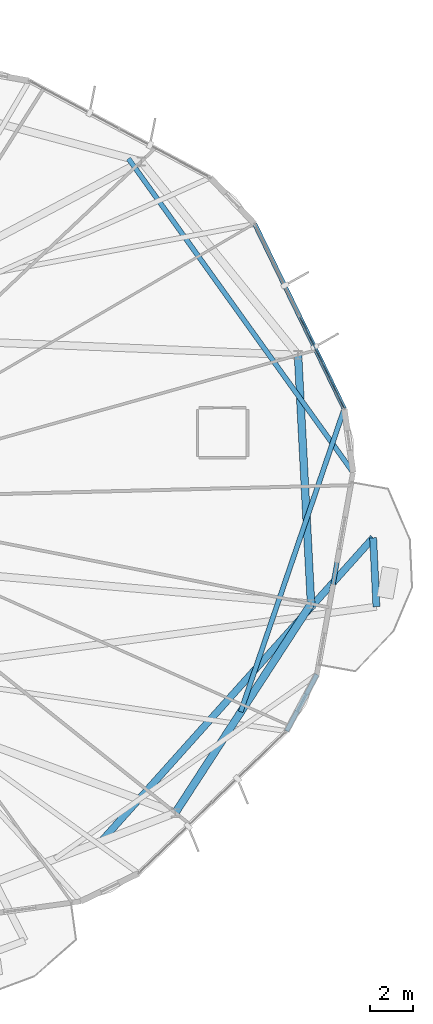
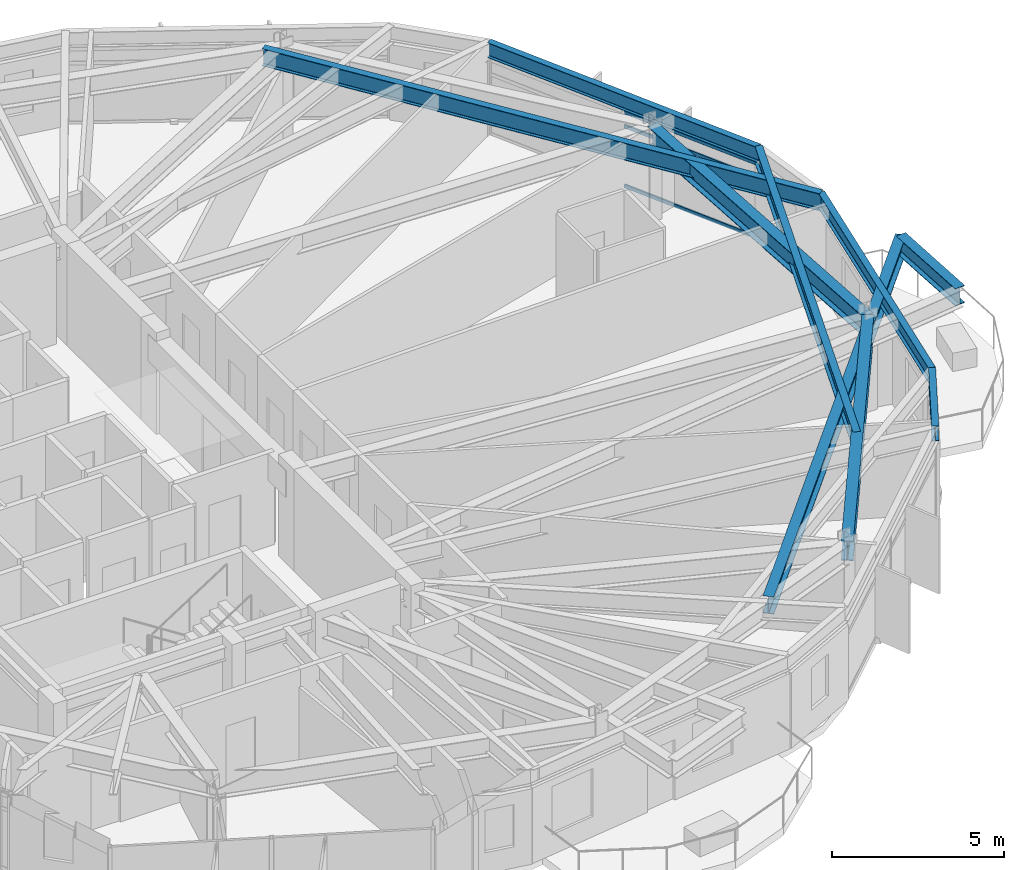
# One storey, part 11 of 26: 9 beams, 3 members, 1 element without a shape of its own.
"""IFC4 building model written with IfcOpenShell, lengths in metres."""

from ifc_helpers import new_model, si_unit, direction, frame, origin, origin_2d, place, context, subcontext, project, spatial, hollow_rectangle, i_section, extrude, material, layer, layer_set, material_profile, profile_set, type_object, element, aggregate, save


model = new_model("IFC4")

# Units and contexts
model_context = context("Model", 3, precision=1e-05, world=origin(), true_north=direction((0.0, 1.0)))
body_context = subcontext(model_context, "Body", "Model", "MODEL_VIEW")
ifc_project = project(units=[si_unit("LENGTHUNIT", "METRE"), si_unit("AREAUNIT", "SQUARE_METRE"), si_unit("VOLUMEUNIT", "CUBIC_METRE"), si_unit("PLANEANGLEUNIT", "RADIAN"), si_unit("MASSUNIT", "GRAM", prefix="KILO")], contexts=[model_context])

# Site, building, storey
site_placement = place(None, origin())
site = spatial("IfcSite", under=ifc_project, at=site_placement, CompositionType="ELEMENT")
building_placement = place(site_placement, origin())
building = spatial("IfcBuilding", under=site, at=building_placement, Name="Soratama Intermodal Tower", CompositionType="ELEMENT")
storey_placement = place(building_placement, frame((0.0, 0.0, 194.199951171875)))
storey = spatial("IfcBuildingStorey", under=building, at=storey_placement, Name="L48", CompositionType="ELEMENT", Elevation=194.199951171875)

# Beams
ifc_material_1 = material(Name="Structural steel ASTM A992 Grade 50", Category="steel")
ifc_material_profile_1 = material_profile(ifc_material_1, i_section(OverallWidth=0.324951171875, OverallDepth=0.615966796875, WebThickness=0.013916015625, FlangeThickness=0.021484375, FilletRadius=0.013916015625, at=origin_2d()), Name="W24X117")
ifc_profile_set_1 = profile_set([ifc_material_profile_1], Name="Structural steel ASTM A992 Grade 50")
beam_type_1 = type_object("IfcBeamType", Name="BM-CANT-W24X117", PredefinedType="BEAM", material=ifc_profile_set_1)
beam_1_placement = place(storey_placement, frame((65.98291015625, 20.053955078125, 2.991943359375), z_axis=(-0.047714580193, 0.99886101077, 0.0), x_axis=(-0.99886101077, -0.047714580193, 0.0)))
element("IfcBeam", 1, at=beam_1_placement, inside=storey, type_object=beam_type_1, Name="BM-L48-CBHDR-1", PredefinedType="BEAM", context=body_context, shape_type="SweptSolid", body=[
    extrude(i_section(OverallWidth=0.324951171875, OverallDepth=0.615966796875, WebThickness=0.013916015625, FlangeThickness=0.021484375, FilletRadius=0.013916015625, at=origin_2d()), origin(), (0.0, 0.0, 1.0), 3.1826171875),
])
beam_2_placement = place(storey_placement, frame((53.321044921875, 9.264892578125, 2.991943359375), z_axis=(0.667159380584, 0.744915002466, 0.0), x_axis=(-0.744915002466, 0.667159380584, 0.0)))
element("IfcBeam", 2, at=beam_2_placement, inside=storey, type_object=beam_type_1, Name="BM-L48-CANT-1-2", PredefinedType="BEAM", context=body_context, shape_type="SweptSolid", body=[
    extrude(i_section(OverallWidth=0.324951171875, OverallDepth=0.615966796875, WebThickness=0.013916015625, FlangeThickness=0.021484375, FilletRadius=0.013916015625, at=origin_2d()), origin(), (0.0, 0.0, 1.0), 18.751220703125),
])
ifc_material_2 = material(Name="Structural steel ASTM A992 Grade 50", Category="steel")
ifc_material_profile_2 = material_profile(ifc_material_2, i_section(OverallWidth=0.35498046875, OverallDepth=0.695068359375, WebThickness=0.015380859375, FlangeThickness=0.02490234375, FilletRadius=0.01611328125, at=origin_2d()), Name="W27X146")
ifc_profile_set_2 = profile_set([ifc_material_profile_2], Name="Structural steel ASTM A992 Grade 50")
beam_type_2 = type_object("IfcBeamType", Name="BM-RING-W27X146", PredefinedType="BEAM", material=ifc_profile_set_2)
for number, where, z_axis, x_axis, name in (
    (3, (56.705078125, 10.544921875, 2.95263671875), (0.544637453764, 0.83867159482, 0.0), (-0.83867159482, 0.544637453764, 0.0), "BM-L48-RING-09"),
    (4, (62.966064453125, 20.18603515625, 2.95263671875), (-0.052286849724, 0.998632107108, 0.0), (-0.998632107108, -0.052286849724, 0.0), "BM-L48-RING-10"),
):
    element("IfcBeam", number, at=place(storey_placement, frame(where, z_axis=z_axis, x_axis=x_axis)), inside=storey, type_object=beam_type_2, Name=name, PredefinedType="BEAM", context=body_context, shape_type="SweptSolid", body=[
        extrude(i_section(OverallWidth=0.35498046875, OverallDepth=0.695068359375, WebThickness=0.015380859375, FlangeThickness=0.02490234375, FilletRadius=0.01611328125, at=origin_2d()), origin(), (0.0, 0.0, 1.0), 11.49560546875),
    ])
ifc_material_3 = material(Name="Structural steel ASTM A992 Grade 50", Category="steel")
ifc_material_profile_3 = material_profile(ifc_material_3, i_section(OverallWidth=0.2099609375, OverallDepth=0.537109375, WebThickness=0.010986328125, FlangeThickness=0.017333984375, FilletRadius=0.012939453125, at=origin_2d()), Name="W21X68")
ifc_profile_set_3 = profile_set([ifc_material_profile_3], Name="Structural steel ASTM A992 Grade 50")
beam_type_3 = type_object("IfcBeamType", Name="BM-SPN-W21X68", PredefinedType="SPANDREL", material=ifc_profile_set_3)
beam_3_placement = place(storey_placement, frame((61.839111328125, 14.31201171875, 3.031494140625), z_axis=(0.471707327185, 0.881755180013, 0.0), x_axis=(-0.881755180013, 0.471707327185, 0.0)))
element("IfcBeam", 5, at=beam_3_placement, inside=storey, type_object=beam_type_3, Name="BS-L48-CRN08", PredefinedType="SPANDREL", context=body_context, shape_type="SweptSolid", body=[
    extrude(i_section(OverallWidth=0.2099609375, OverallDepth=0.537109375, WebThickness=0.010986328125, FlangeThickness=0.017333984375, FilletRadius=0.012939453125, at=origin_2d()), origin(), (0.0, 0.0, 1.0), 2.965576171875),
])
beam_4_placement = place(storey_placement, frame((63.238037109375, 16.927001953125, 3.031494140625), z_axis=(0.176094832495, 0.984373206649, 0.0), x_axis=(-0.984373206649, 0.176094832495, 0.0)))
element("IfcBeam", 6, at=beam_4_placement, inside=storey, type_object=beam_type_3, Name="BS-L48-F09", PredefinedType="SPANDREL", context=body_context, shape_type="SweptSolid", body=[
    extrude(i_section(OverallWidth=0.2099609375, OverallDepth=0.537109375, WebThickness=0.010986328125, FlangeThickness=0.017333984375, FilletRadius=0.012939453125, at=origin_2d()), origin(), (0.0, 0.0, 1.0), 9.471923828125),
])
beam_5_placement = place(storey_placement, frame((64.5, 29.18896484375, 3.031494140625), z_axis=(-0.436167886037, 0.899865309471, 0.0), x_axis=(-0.899865309471, -0.436167886037, 0.0)))
element("IfcBeam", 7, at=beam_5_placement, inside=storey, type_object=beam_type_3, Name="BS-L48-F10", PredefinedType="SPANDREL", context=body_context, shape_type="SweptSolid", body=[
    extrude(i_section(OverallWidth=0.2099609375, OverallDepth=0.537109375, WebThickness=0.010986328125, FlangeThickness=0.017333984375, FilletRadius=0.012939453125, at=origin_2d()), origin(), (0.0, 0.0, 1.0), 9.471435546875),
])
ifc_material_4 = material(Name="Structural steel ASTM A992 Grade 50", Category="steel")
ifc_material_profile_4 = material_profile(ifc_material_4, i_section(OverallWidth=0.22900390625, OverallDepth=0.612060546875, WebThickness=0.011962890625, FlangeThickness=0.01953125, FilletRadius=0.012939453125, at=origin_2d()), Name="W24X84")
ifc_profile_set_4 = profile_set([ifc_material_profile_4], Name="Structural steel ASTM A992 Grade 50")
beam_type_4 = type_object("IfcBeamType", Name="BM-TIE-W24X84", PredefinedType="BEAM", material=ifc_profile_set_4)
beam_6_placement = place(storey_placement, frame((54.541015625, 40.73095703125, 2.994140625), z_axis=(0.582061427189, -0.813144817962, 0.0), x_axis=(0.813144817962, 0.582061427189, 0.0)))
element("IfcBeam", 8, at=beam_6_placement, inside=storey, type_object=beam_type_4, Name="BM-L48-TIE1-09", PredefinedType="BEAM", context=body_context, shape_type="SweptSolid", body=[
    extrude(i_section(OverallWidth=0.22900390625, OverallDepth=0.612060546875, WebThickness=0.011962890625, FlangeThickness=0.01953125, FilletRadius=0.012939453125, at=origin_2d()), origin(), (0.0, 0.0, 1.0), 17.807373046875),
])
beam_7_placement = place(storey_placement, frame((59.718017578125, 15.201904296875, 2.994140625), z_axis=(0.323502073356, 0.946227461308, 0.0), x_axis=(-0.946227461308, 0.323502073356, 0.0)))
element("IfcBeam", 9, at=beam_7_placement, inside=storey, type_object=beam_type_4, Name="BM-L48-TIE0-10", PredefinedType="BEAM", context=body_context, shape_type="SweptSolid", body=[
    extrude(i_section(OverallWidth=0.22900390625, OverallDepth=0.612060546875, WebThickness=0.011962890625, FlangeThickness=0.01953125, FilletRadius=0.012939453125, at=origin_2d()), origin(), (0.0, 0.0, 1.0), 14.781982421875),
])

# Curtain wall, members
ifc_material_5 = material(Name="Double-glazed aluminium curtain wall", Category="aluminium")
ifc_layer = layer(ifc_material_5, 0.159912109375)
ifc_layer_set = layer_set([ifc_layer], Name="Double-glazed aluminium curtain wall")
curtain_wall_type = type_object("IfcCurtainWallType", Name="CW-SYS-5", PredefinedType="NOTDEFINED", material=ifc_layer_set)
curtain_wall_placement = place(storey_placement, origin())
curtain_wall = element("IfcCurtainWall", 10, at=curtain_wall_placement, inside=storey, type_object=curtain_wall_type, Name="L48 Faceted Curtain Wall F10", PredefinedType="NOTDEFINED")
ifc_material_6 = material(Name="Anodised aluminium AA 6063-T6", Category="aluminium")
ifc_material_profile_5 = material_profile(ifc_material_6, hollow_rectangle(XDim=0.06005859375, YDim=0.1298828125, WallThickness=0.0048828125, InnerFilletRadius=0.0048828125, OuterFilletRadius=0.010009765625, at=origin_2d()), Name="CWT130X60X5")
ifc_profile_set_5 = profile_set([ifc_material_profile_5], Name="Anodised aluminium AA 6063-T6")
member_type = type_object("IfcMemberType", Name="TT-CWT-2", PredefinedType="USERDEFINED", material=ifc_profile_set_5)
member_1_placement = place(storey_placement, frame((64.473876953125, 29.243408203125, 0.030029296875), z_axis=(-0.436206453732, 0.899846614553, 0.0), x_axis=(-0.899846614553, -0.436206453732, 0.0)))
member_1 = element("IfcMember", 11, at=member_1_placement, type_object=member_type, Name="CW-5 transom 1.1", ObjectType="TRANSOM", PredefinedType="USERDEFINED", context=body_context, shape_type="SweptSolid", body=[
    extrude(hollow_rectangle(XDim=0.06005859375, YDim=0.1298828125, WallThickness=0.0048828125, InnerFilletRadius=0.0048828125, OuterFilletRadius=0.010009765625, at=origin_2d()), origin(), (0.0, 0.0, 1.0), 4.6455078125),
])
member_2_placement = place(storey_placement, frame((64.473876953125, 29.243408203125, 2.150146484375), z_axis=(-0.436206453732, 0.899846614553, 0.0), x_axis=(-0.899846614553, -0.436206453732, 0.0)))
member_2 = element("IfcMember", 12, at=member_2_placement, type_object=member_type, Name="CW-5 transom 1.2", ObjectType="TRANSOM", PredefinedType="USERDEFINED", context=body_context, shape_type="SweptSolid", body=[
    extrude(hollow_rectangle(XDim=0.06005859375, YDim=0.1298828125, WallThickness=0.0048828125, InnerFilletRadius=0.0048828125, OuterFilletRadius=0.010009765625, at=origin_2d()), origin(), (0.0, 0.0, 1.0), 4.6455078125),
])
member_3_placement = place(storey_placement, frame((64.473876953125, 29.243408203125, 2.649169921875), z_axis=(-0.436206453732, 0.899846614553, 0.0), x_axis=(-0.899846614553, -0.436206453732, 0.0)))
member_3 = element("IfcMember", 13, at=member_3_placement, type_object=member_type, Name="CW-5 transom 1.3", ObjectType="TRANSOM", PredefinedType="USERDEFINED", context=body_context, shape_type="SweptSolid", body=[
    extrude(hollow_rectangle(XDim=0.06005859375, YDim=0.1298828125, WallThickness=0.0048828125, InnerFilletRadius=0.0048828125, OuterFilletRadius=0.010009765625, at=origin_2d()), origin(), (0.0, 0.0, 1.0), 4.6455078125),
])
aggregate(curtain_wall, [member_1, member_2, member_3])

save(model, "model.ifc")
